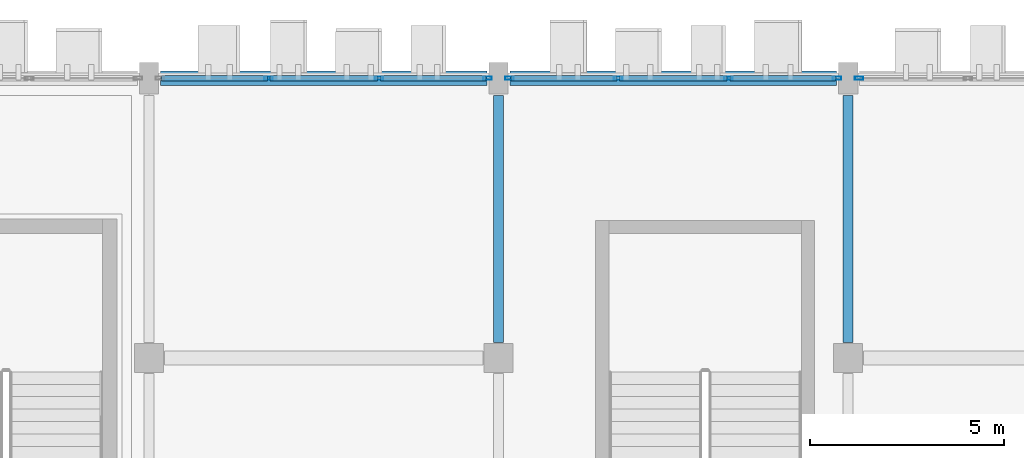
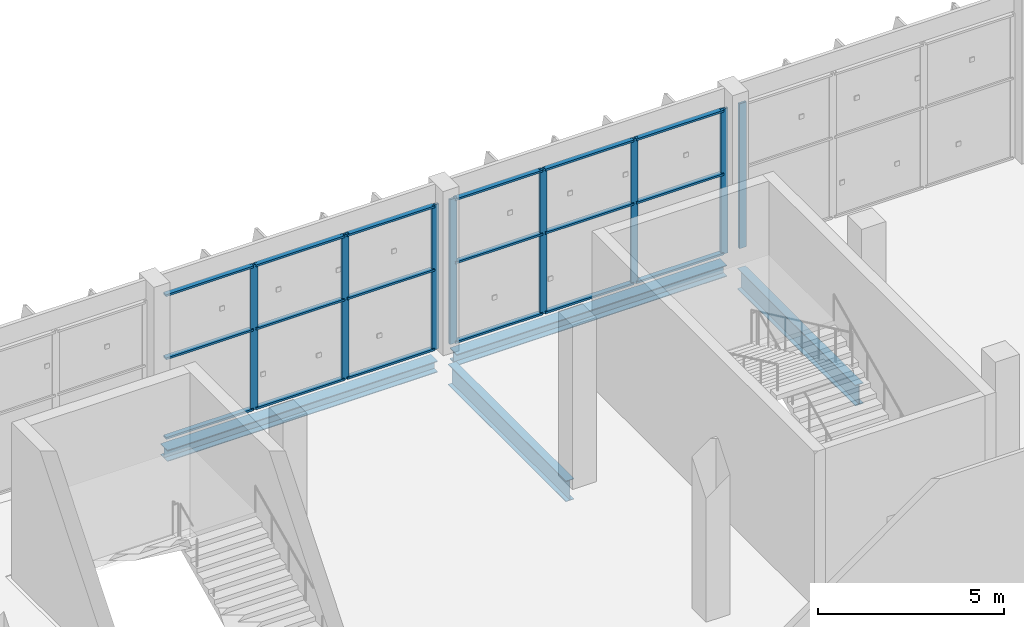
# One storey, part 99 of 189: 26 members, 4 beams, 3 elements without a shape of their own.
"""IFC4 building model written with IfcOpenShell, lengths in metres."""

from ifc_helpers import new_model, si_unit, direction, frame, origin, origin_2d, place, context, subcontext, project, spatial, hollow_rectangle, i_section, extrude, material, layer, layer_set, material_profile, profile_set, type_object, element, aggregate, save


model = new_model("IFC4")

# Units and contexts
model_context = context("Model", 3, precision=1e-05, world=origin(), true_north=direction((0.0, 1.0)))
body_context = subcontext(model_context, "Body", "Model", "MODEL_VIEW")
ifc_project = project(units=[si_unit("LENGTHUNIT", "METRE"), si_unit("AREAUNIT", "SQUARE_METRE"), si_unit("VOLUMEUNIT", "CUBIC_METRE"), si_unit("PLANEANGLEUNIT", "RADIAN"), si_unit("MASSUNIT", "GRAM", prefix="KILO")], contexts=[model_context])

# Site, building, storey
site_placement = place(None, origin())
site = spatial("IfcSite", under=ifc_project, at=site_placement, CompositionType="ELEMENT")
building_placement = place(site_placement, origin())
building = spatial("IfcBuilding", under=site, at=building_placement, Name="Celestram Park Convention Centre", CompositionType="ELEMENT")
storey_placement = place(building_placement, frame((0.0, 0.0, 5.39990234375)))
storey = spatial("IfcBuildingStorey", under=building, at=storey_placement, Name="L01", CompositionType="ELEMENT", Elevation=5.39990234375)

# Curtain wall, members
ifc_material_1 = material(Name="Anodised Aluminium Alloy 6063-T6", Category="aluminium")
ifc_layer = layer(ifc_material_1, 0.179931640625)
ifc_layer_set = layer_set([ifc_layer], Name="Anodised Aluminium Alloy 6063-T6")
curtain_wall_type = type_object("IfcCurtainWallType", Name="ARC-CW-850X476", PredefinedType="NOTDEFINED", material=ifc_layer_set)
curtain_wall_1_placement = place(storey_placement, origin())
curtain_wall_1 = element("IfcCurtainWall", 1, at=curtain_wall_1_placement, inside=storey, type_object=curtain_wall_type, Name="Unitised curtain wall CU-L01-062", PredefinedType="NOTDEFINED")
ifc_material_profile_1 = material_profile(ifc_material_1, hollow_rectangle(XDim=0.074951171875, YDim=0.219970703125, WallThickness=0.00390625, at=origin_2d()), Name="ALU75X220X4")
ifc_profile_set_1 = profile_set([ifc_material_profile_1], Name="Anodised Aluminium Alloy 6063-T6")
member_type_1 = type_object("IfcMemberType", Name="ARC-CWM-180", PredefinedType="MULLION", material=ifc_profile_set_1)
member_1_placement = place(storey_placement, frame((102.082763671875, 165.60009765625, 0.0), z_axis=(0.0, 0.0, 1.0), x_axis=(0.0, 1.0, 0.0)))
member_1 = element("IfcMember", 2, at=member_1_placement, type_object=member_type_1, Name="CW-85X47 mullion 2", PredefinedType="MULLION", context=body_context, shape_type="SweptSolid", body=[
    extrude(hollow_rectangle(XDim=0.074951171875, YDim=0.219970703125, WallThickness=0.00390625, at=origin_2d()), origin(), (0.0, 0.0, 1.0), 4.76416015625),
])
member_2_placement = place(storey_placement, frame((104.917236328125, 165.60009765625, 0.0), z_axis=(0.0, 0.0, 1.0), x_axis=(0.0, 1.0, 0.0)))
member_2 = element("IfcMember", 3, at=member_2_placement, type_object=member_type_1, Name="CW-85X47 mullion 3", PredefinedType="MULLION", context=body_context, shape_type="SweptSolid", body=[
    extrude(hollow_rectangle(XDim=0.074951171875, YDim=0.219970703125, WallThickness=0.00390625, at=origin_2d()), origin(), (0.0, 0.0, 1.0), 4.76416015625),
])
member_3_placement = place(storey_placement, frame((107.714599609375, 165.60009765625, 0.0), z_axis=(0.0, 0.0, 1.0), x_axis=(0.0, 1.0, 0.0)))
member_3 = element("IfcMember", 4, at=member_3_placement, type_object=member_type_1, Name="CW-85X47 mullion 4", PredefinedType="MULLION", context=body_context, shape_type="SweptSolid", body=[
    extrude(hollow_rectangle(XDim=0.074951171875, YDim=0.219970703125, WallThickness=0.00390625, at=origin_2d()), origin(), (0.0, 0.0, 1.0), 4.76416015625),
])

curtain_wall_2_placement = place(storey_placement, origin())
curtain_wall_2 = element("IfcCurtainWall", 5, at=curtain_wall_2_placement, inside=storey, type_object=curtain_wall_type, Name="Unitised curtain wall CU-L01-063", PredefinedType="NOTDEFINED")
member_4_placement = place(storey_placement, frame((108.285400390625, 165.60009765625, 0.0), z_axis=(0.0, 0.0, 1.0), x_axis=(0.0, 1.0, 0.0)))
member_4 = element("IfcMember", 6, at=member_4_placement, type_object=member_type_1, Name="CW-85X47 mullion 1", PredefinedType="MULLION", context=body_context, shape_type="SweptSolid", body=[
    extrude(hollow_rectangle(XDim=0.074951171875, YDim=0.219970703125, WallThickness=0.00390625, at=origin_2d()), origin(), (0.0, 0.0, 1.0), 4.76416015625),
])
member_5_placement = place(storey_placement, frame((111.082763671875, 165.60009765625, 0.0), z_axis=(0.0, 0.0, 1.0), x_axis=(0.0, 1.0, 0.0)))
member_5 = element("IfcMember", 7, at=member_5_placement, type_object=member_type_1, Name="CW-85X47 mullion 2", PredefinedType="MULLION", context=body_context, shape_type="SweptSolid", body=[
    extrude(hollow_rectangle(XDim=0.074951171875, YDim=0.219970703125, WallThickness=0.00390625, at=origin_2d()), origin(), (0.0, 0.0, 1.0), 4.76416015625),
])
member_6_placement = place(storey_placement, frame((113.917236328125, 165.60009765625, 0.0), z_axis=(0.0, 0.0, 1.0), x_axis=(0.0, 1.0, 0.0)))
member_6 = element("IfcMember", 8, at=member_6_placement, type_object=member_type_1, Name="CW-85X47 mullion 3", PredefinedType="MULLION", context=body_context, shape_type="SweptSolid", body=[
    extrude(hollow_rectangle(XDim=0.074951171875, YDim=0.219970703125, WallThickness=0.00390625, at=origin_2d()), origin(), (0.0, 0.0, 1.0), 4.76416015625),
])
member_7_placement = place(storey_placement, frame((116.714599609375, 165.60009765625, 0.0), z_axis=(0.0, 0.0, 1.0), x_axis=(0.0, 1.0, 0.0)))
member_7 = element("IfcMember", 9, at=member_7_placement, type_object=member_type_1, Name="CW-85X47 mullion 4", PredefinedType="MULLION", context=body_context, shape_type="SweptSolid", body=[
    extrude(hollow_rectangle(XDim=0.074951171875, YDim=0.219970703125, WallThickness=0.00390625, at=origin_2d()), origin(), (0.0, 0.0, 1.0), 4.76416015625),
])

# Curtain wall, member
curtain_wall_3_placement = place(storey_placement, origin())
curtain_wall_3 = element("IfcCurtainWall", 10, at=curtain_wall_3_placement, inside=storey, type_object=curtain_wall_type, Name="Unitised curtain wall CU-L01-064", PredefinedType="NOTDEFINED")
member_8_placement = place(storey_placement, frame((117.285400390625, 165.60009765625, 0.0), z_axis=(0.0, 0.0, 1.0), x_axis=(0.0, 1.0, 0.0)))
member_8 = element("IfcMember", 11, at=member_8_placement, type_object=member_type_1, Name="CW-85X47 mullion 1", PredefinedType="MULLION", context=body_context, shape_type="SweptSolid", body=[
    extrude(hollow_rectangle(XDim=0.074951171875, YDim=0.219970703125, WallThickness=0.00390625, at=origin_2d()), origin(), (0.0, 0.0, 1.0), 4.76416015625),
])
aggregate(curtain_wall_3, [member_8])

# Member
ifc_material_profile_2 = material_profile(ifc_material_1, hollow_rectangle(XDim=0.14990234375, YDim=0.06494140625, WallThickness=0.0029296875, at=origin_2d()), Name="ALU150X65X3")
ifc_profile_set_2 = profile_set([ifc_material_profile_2], Name="Anodised Aluminium Alloy 6063-T6")
member_type_2 = type_object("IfcMemberType", Name="ARC-CWT-150", PredefinedType="USERDEFINED", material=ifc_profile_set_2)
member_9_placement = place(storey_placement, frame((99.322998046875, 165.60009765625, 0.03271484375), z_axis=(1.0, 0.0, 0.0), x_axis=(0.0, 1.0, 0.0)))
member_9 = element("IfcMember", 12, at=member_9_placement, type_object=member_type_2, Name="CW-85X47 transom 1.1", ObjectType="TRANSOM", PredefinedType="USERDEFINED", context=body_context, shape_type="SweptSolid", body=[
    extrude(hollow_rectangle(XDim=0.14990234375, YDim=0.06494140625, WallThickness=0.0029296875, at=origin_2d()), origin(), (0.0, 0.0, 1.0), 2.72216796875),
])

member_10_placement = place(storey_placement, frame((99.322998046875, 165.60009765625, 2.650146484375), z_axis=(1.0, 0.0, 0.0), x_axis=(0.0, 1.0, 0.0)))
member_10 = element("IfcMember", 13, at=member_10_placement, type_object=member_type_2, Name="CW-85X47 transom 1.2", ObjectType="TRANSOM", PredefinedType="USERDEFINED", context=body_context, shape_type="SweptSolid", body=[
    extrude(hollow_rectangle(XDim=0.14990234375, YDim=0.06494140625, WallThickness=0.0029296875, at=origin_2d()), origin(), (0.0, 0.0, 1.0), 2.72216796875),
])

member_11_placement = place(storey_placement, frame((99.322998046875, 165.60009765625, 4.731689453125), z_axis=(1.0, 0.0, 0.0), x_axis=(0.0, 1.0, 0.0)))
member_11 = element("IfcMember", 14, at=member_11_placement, type_object=member_type_2, Name="CW-85X47 transom 1.3", ObjectType="TRANSOM", PredefinedType="USERDEFINED", context=body_context, shape_type="SweptSolid", body=[
    extrude(hollow_rectangle(XDim=0.14990234375, YDim=0.06494140625, WallThickness=0.0029296875, at=origin_2d()), origin(), (0.0, 0.0, 1.0), 2.72216796875),
])

member_12_placement = place(storey_placement, frame((102.1201171875, 165.60009765625, 0.03271484375), z_axis=(1.0, 0.0, 0.0), x_axis=(0.0, 1.0, 0.0)))
member_12 = element("IfcMember", 15, at=member_12_placement, type_object=member_type_2, Name="CW-85X47 transom 2.1", ObjectType="TRANSOM", PredefinedType="USERDEFINED", context=body_context, shape_type="SweptSolid", body=[
    extrude(hollow_rectangle(XDim=0.14990234375, YDim=0.06494140625, WallThickness=0.0029296875, at=origin_2d()), origin(), (0.0, 0.0, 1.0), 2.759765625),
])

member_13_placement = place(storey_placement, frame((102.1201171875, 165.60009765625, 2.650146484375), z_axis=(1.0, 0.0, 0.0), x_axis=(0.0, 1.0, 0.0)))
member_13 = element("IfcMember", 16, at=member_13_placement, type_object=member_type_2, Name="CW-85X47 transom 2.2", ObjectType="TRANSOM", PredefinedType="USERDEFINED", context=body_context, shape_type="SweptSolid", body=[
    extrude(hollow_rectangle(XDim=0.14990234375, YDim=0.06494140625, WallThickness=0.0029296875, at=origin_2d()), origin(), (0.0, 0.0, 1.0), 2.759765625),
])

member_14_placement = place(storey_placement, frame((102.1201171875, 165.60009765625, 4.731689453125), z_axis=(1.0, 0.0, 0.0), x_axis=(0.0, 1.0, 0.0)))
member_14 = element("IfcMember", 17, at=member_14_placement, type_object=member_type_2, Name="CW-85X47 transom 2.3", ObjectType="TRANSOM", PredefinedType="USERDEFINED", context=body_context, shape_type="SweptSolid", body=[
    extrude(hollow_rectangle(XDim=0.14990234375, YDim=0.06494140625, WallThickness=0.0029296875, at=origin_2d()), origin(), (0.0, 0.0, 1.0), 2.759765625),
])

member_15_placement = place(storey_placement, frame((104.954833984375, 165.60009765625, 0.03271484375), z_axis=(1.0, 0.0, 0.0), x_axis=(0.0, 1.0, 0.0)))
member_15 = element("IfcMember", 18, at=member_15_placement, type_object=member_type_2, Name="CW-85X47 transom 3.1", ObjectType="TRANSOM", PredefinedType="USERDEFINED", context=body_context, shape_type="SweptSolid", body=[
    extrude(hollow_rectangle(XDim=0.14990234375, YDim=0.06494140625, WallThickness=0.0029296875, at=origin_2d()), origin(), (0.0, 0.0, 1.0), 2.72216796875),
])

member_16_placement = place(storey_placement, frame((104.954833984375, 165.60009765625, 2.650146484375), z_axis=(1.0, 0.0, 0.0), x_axis=(0.0, 1.0, 0.0)))
member_16 = element("IfcMember", 19, at=member_16_placement, type_object=member_type_2, Name="CW-85X47 transom 3.2", ObjectType="TRANSOM", PredefinedType="USERDEFINED", context=body_context, shape_type="SweptSolid", body=[
    extrude(hollow_rectangle(XDim=0.14990234375, YDim=0.06494140625, WallThickness=0.0029296875, at=origin_2d()), origin(), (0.0, 0.0, 1.0), 2.72216796875),
])

member_17_placement = place(storey_placement, frame((104.954833984375, 165.60009765625, 4.731689453125), z_axis=(1.0, 0.0, 0.0), x_axis=(0.0, 1.0, 0.0)))
member_17 = element("IfcMember", 20, at=member_17_placement, type_object=member_type_2, Name="CW-85X47 transom 3.3", ObjectType="TRANSOM", PredefinedType="USERDEFINED", context=body_context, shape_type="SweptSolid", body=[
    extrude(hollow_rectangle(XDim=0.14990234375, YDim=0.06494140625, WallThickness=0.0029296875, at=origin_2d()), origin(), (0.0, 0.0, 1.0), 2.72216796875),
])

aggregate(curtain_wall_1, [member_1, member_2, member_3, member_9, member_10, member_11, member_12, member_13, member_14, member_15, member_16, member_17])

member_18_placement = place(storey_placement, frame((108.322998046875, 165.60009765625, 0.03271484375), z_axis=(1.0, 0.0, 0.0), x_axis=(0.0, 1.0, 0.0)))
member_18 = element("IfcMember", 21, at=member_18_placement, type_object=member_type_2, Name="CW-85X47 transom 1.1", ObjectType="TRANSOM", PredefinedType="USERDEFINED", context=body_context, shape_type="SweptSolid", body=[
    extrude(hollow_rectangle(XDim=0.14990234375, YDim=0.06494140625, WallThickness=0.0029296875, at=origin_2d()), origin(), (0.0, 0.0, 1.0), 2.72216796875),
])

member_19_placement = place(storey_placement, frame((108.322998046875, 165.60009765625, 2.650146484375), z_axis=(1.0, 0.0, 0.0), x_axis=(0.0, 1.0, 0.0)))
member_19 = element("IfcMember", 22, at=member_19_placement, type_object=member_type_2, Name="CW-85X47 transom 1.2", ObjectType="TRANSOM", PredefinedType="USERDEFINED", context=body_context, shape_type="SweptSolid", body=[
    extrude(hollow_rectangle(XDim=0.14990234375, YDim=0.06494140625, WallThickness=0.0029296875, at=origin_2d()), origin(), (0.0, 0.0, 1.0), 2.72216796875),
])

member_20_placement = place(storey_placement, frame((108.322998046875, 165.60009765625, 4.731689453125), z_axis=(1.0, 0.0, 0.0), x_axis=(0.0, 1.0, 0.0)))
member_20 = element("IfcMember", 23, at=member_20_placement, type_object=member_type_2, Name="CW-85X47 transom 1.3", ObjectType="TRANSOM", PredefinedType="USERDEFINED", context=body_context, shape_type="SweptSolid", body=[
    extrude(hollow_rectangle(XDim=0.14990234375, YDim=0.06494140625, WallThickness=0.0029296875, at=origin_2d()), origin(), (0.0, 0.0, 1.0), 2.72216796875),
])

member_21_placement = place(storey_placement, frame((111.1201171875, 165.60009765625, 0.03271484375), z_axis=(1.0, 0.0, 0.0), x_axis=(0.0, 1.0, 0.0)))
member_21 = element("IfcMember", 24, at=member_21_placement, type_object=member_type_2, Name="CW-85X47 transom 2.1", ObjectType="TRANSOM", PredefinedType="USERDEFINED", context=body_context, shape_type="SweptSolid", body=[
    extrude(hollow_rectangle(XDim=0.14990234375, YDim=0.06494140625, WallThickness=0.0029296875, at=origin_2d()), origin(), (0.0, 0.0, 1.0), 2.759765625),
])

member_22_placement = place(storey_placement, frame((111.1201171875, 165.60009765625, 2.650146484375), z_axis=(1.0, 0.0, 0.0), x_axis=(0.0, 1.0, 0.0)))
member_22 = element("IfcMember", 25, at=member_22_placement, type_object=member_type_2, Name="CW-85X47 transom 2.2", ObjectType="TRANSOM", PredefinedType="USERDEFINED", context=body_context, shape_type="SweptSolid", body=[
    extrude(hollow_rectangle(XDim=0.14990234375, YDim=0.06494140625, WallThickness=0.0029296875, at=origin_2d()), origin(), (0.0, 0.0, 1.0), 2.759765625),
])

member_23_placement = place(storey_placement, frame((111.1201171875, 165.60009765625, 4.731689453125), z_axis=(1.0, 0.0, 0.0), x_axis=(0.0, 1.0, 0.0)))
member_23 = element("IfcMember", 26, at=member_23_placement, type_object=member_type_2, Name="CW-85X47 transom 2.3", ObjectType="TRANSOM", PredefinedType="USERDEFINED", context=body_context, shape_type="SweptSolid", body=[
    extrude(hollow_rectangle(XDim=0.14990234375, YDim=0.06494140625, WallThickness=0.0029296875, at=origin_2d()), origin(), (0.0, 0.0, 1.0), 2.759765625),
])

member_24_placement = place(storey_placement, frame((113.954833984375, 165.60009765625, 0.03271484375), z_axis=(1.0, 0.0, 0.0), x_axis=(0.0, 1.0, 0.0)))
member_24 = element("IfcMember", 27, at=member_24_placement, type_object=member_type_2, Name="CW-85X47 transom 3.1", ObjectType="TRANSOM", PredefinedType="USERDEFINED", context=body_context, shape_type="SweptSolid", body=[
    extrude(hollow_rectangle(XDim=0.14990234375, YDim=0.06494140625, WallThickness=0.0029296875, at=origin_2d()), origin(), (0.0, 0.0, 1.0), 2.72216796875),
])

member_25_placement = place(storey_placement, frame((113.954833984375, 165.60009765625, 2.650146484375), z_axis=(1.0, 0.0, 0.0), x_axis=(0.0, 1.0, 0.0)))
member_25 = element("IfcMember", 28, at=member_25_placement, type_object=member_type_2, Name="CW-85X47 transom 3.2", ObjectType="TRANSOM", PredefinedType="USERDEFINED", context=body_context, shape_type="SweptSolid", body=[
    extrude(hollow_rectangle(XDim=0.14990234375, YDim=0.06494140625, WallThickness=0.0029296875, at=origin_2d()), origin(), (0.0, 0.0, 1.0), 2.72216796875),
])

member_26_placement = place(storey_placement, frame((113.954833984375, 165.60009765625, 4.731689453125), z_axis=(1.0, 0.0, 0.0), x_axis=(0.0, 1.0, 0.0)))
member_26 = element("IfcMember", 29, at=member_26_placement, type_object=member_type_2, Name="CW-85X47 transom 3.3", ObjectType="TRANSOM", PredefinedType="USERDEFINED", context=body_context, shape_type="SweptSolid", body=[
    extrude(hollow_rectangle(XDim=0.14990234375, YDim=0.06494140625, WallThickness=0.0029296875, at=origin_2d()), origin(), (0.0, 0.0, 1.0), 2.72216796875),
])

aggregate(curtain_wall_2, [member_4, member_5, member_6, member_7, member_18, member_19, member_20, member_21, member_22, member_23, member_24, member_25, member_26])

# Beams
ifc_material_2 = material(Name="Steel ASTM A992 Grade 50", Category="steel")
ifc_material_profile_3 = material_profile(ifc_material_2, i_section(OverallWidth=0.25390625, OverallDepth=0.68310546875, WebThickness=0.012451171875, FlangeThickness=0.01904296875, at=origin_2d()), Name="W27X94")
ifc_profile_set_3 = profile_set([ifc_material_profile_3], Name="Steel ASTM A992 Grade 50")
beam_type_1 = type_object("IfcBeamType", Name="STR-BM-W27X94", PredefinedType="BEAM", material=ifc_profile_set_3)
for number, where, z_axis, x_axis, name in (
    (30, (108.0, 158.798095703125, -0.621337890625), (0.0, 1.0, 0.0), (-1.0, 0.0, 0.0), "Primary Y-girder BG-L01-0227"),
    (31, (117.0, 158.798095703125, -0.621337890625), (0.0, 1.0, 0.0), (-1.0, 0.0, 0.0), "Primary Y-girder BG-L01-0246"),
):
    element("IfcBeam", number, at=place(storey_placement, frame(where, z_axis=z_axis, x_axis=x_axis)), inside=storey, type_object=beam_type_1, Name=name, PredefinedType="BEAM", context=body_context, shape_type="SweptSolid", body=[
        extrude(i_section(OverallWidth=0.25390625, OverallDepth=0.68310546875, WebThickness=0.012451171875, FlangeThickness=0.01904296875, at=origin_2d()), origin(), (0.0, 0.0, 1.0), 6.35400390625),
    ])
ifc_material_profile_4 = material_profile(ifc_material_2, i_section(OverallWidth=0.373046875, OverallDepth=0.373046875, WebThickness=0.016357421875, FlangeThickness=0.026123046875, at=origin_2d()), Name="W14X132")
ifc_profile_set_4 = profile_set([ifc_material_profile_4], Name="Steel ASTM A992 Grade 50")
beam_type_2 = type_object("IfcBeamType", Name="STR-SPN-W14X132", PredefinedType="SPANDREL", material=ifc_profile_set_4)
for number, where, z_axis, x_axis, name in (
    (32, (99.298095703125, 165.60009765625, -0.46630859375), (1.0, 0.0, 0.0), (0.0, 1.0, 0.0), "Primary X-girder BG-L01-0207"),
    (33, (108.298095703125, 165.60009765625, -0.46630859375), (1.0, 0.0, 0.0), (0.0, 1.0, 0.0), "Primary X-girder BG-L01-0228"),
):
    element("IfcBeam", number, at=place(storey_placement, frame(where, z_axis=z_axis, x_axis=x_axis)), inside=storey, type_object=beam_type_2, Name=name, PredefinedType="SPANDREL", context=body_context, shape_type="SweptSolid", body=[
        extrude(i_section(OverallWidth=0.373046875, OverallDepth=0.373046875, WebThickness=0.016357421875, FlangeThickness=0.026123046875, at=origin_2d()), origin(), (0.0, 0.0, 1.0), 8.40380859375),
    ])

save(model, "model.ifc")
